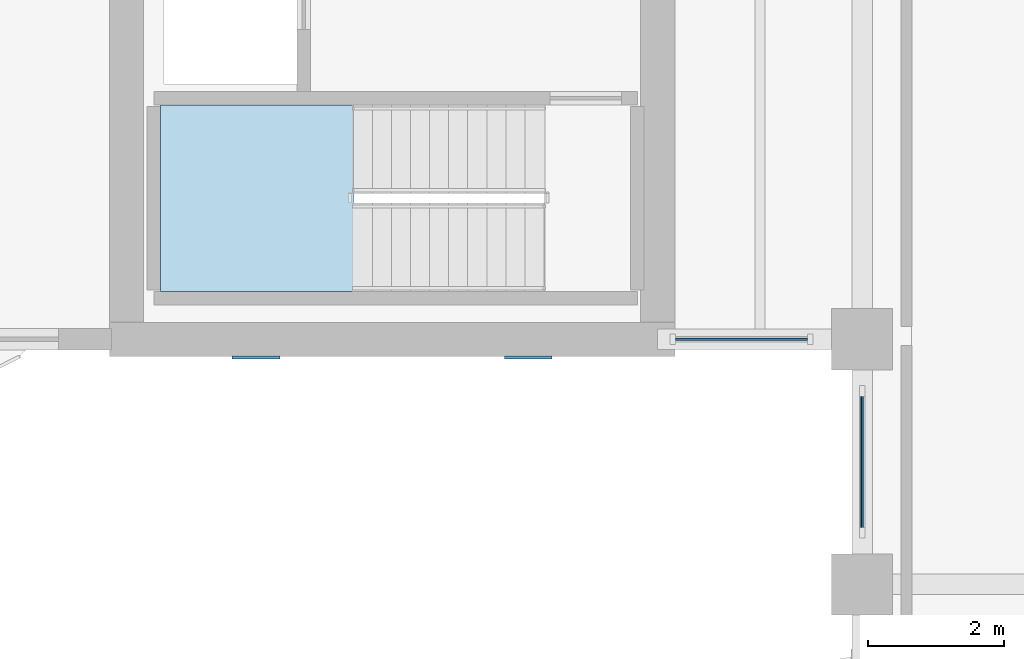
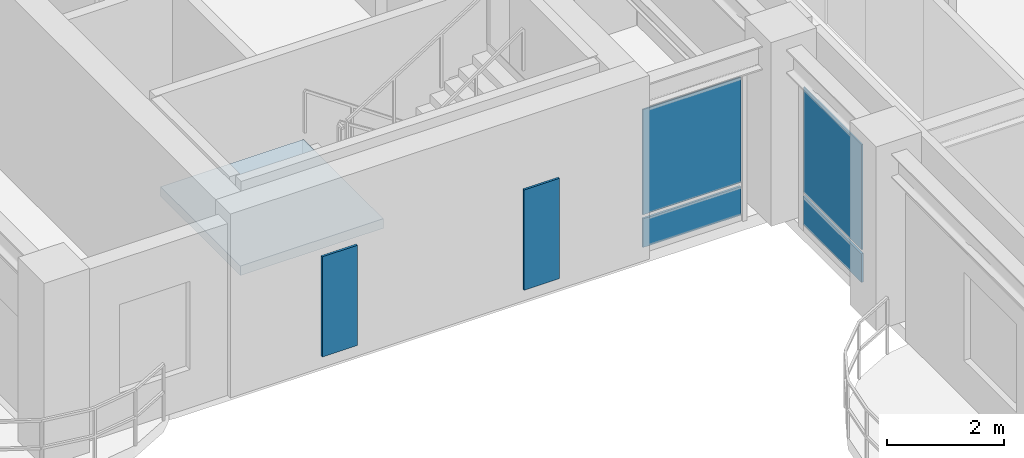
# One storey, part 6 of 19: 6 plates, 1 slab, 3 elements without a shape of their own.
"""IFC4 building model written with IfcOpenShell, lengths in metres."""

from ifc_helpers import new_model, si_unit, derived_unit, direction, frame, origin, origin_2d, place, context, subcontext, project, spatial, polyline, rectangle, outline, extrude, source, transform, mapped, material, layer, layer_set, type_object, type_shapes, element, aggregate, save


model = new_model("IFC4")

# Units and contexts
model_context = context("Model", 3, precision=1e-05, world=origin(), true_north=direction((0.0, 1.0)))
body_context = subcontext(model_context, "Body", "Model", "MODEL_VIEW")
ifc_project = project(units=[si_unit("LENGTHUNIT", "METRE"), si_unit("AREAUNIT", "SQUARE_METRE"), si_unit("VOLUMEUNIT", "CUBIC_METRE"), si_unit("PLANEANGLEUNIT", "RADIAN"), si_unit("MASSUNIT", "GRAM", prefix="KILO"), si_unit("THERMODYNAMICTEMPERATUREUNIT", "KELVIN"), si_unit("POWERUNIT", "WATT"), derived_unit("THERMALTRANSMITTANCEUNIT", [(si_unit("POWERUNIT", "WATT"), 1), (si_unit("AREAUNIT", "SQUARE_METRE"), -1), (si_unit("THERMODYNAMICTEMPERATUREUNIT", "KELVIN"), -1)])], contexts=[model_context])

# Site, building, storey
site_placement = place(None, origin())
site = spatial("IfcSite", under=ifc_project, at=site_placement, CompositionType="ELEMENT")
building_placement = place(site_placement, origin())
building = spatial("IfcBuilding", under=site, at=building_placement, Name="Zahravan Archway Hotel and Residences", CompositionType="ELEMENT")
storey_placement = place(building_placement, frame((0.0, 0.0, 201.89990234375)))
storey = spatial("IfcBuildingStorey", under=building, at=storey_placement, Name="L50", CompositionType="ELEMENT", Elevation=201.89990234375)

# Stair, slab
ifc_material_1 = material(Name="Concrete C50/60", Category="concrete")
stair_type = type_object("IfcStairType", Name="STR-CORE-1300", PredefinedType="HALF_TURN_STAIR", material=ifc_material_1)
stair_placement = place(storey_placement, origin())
stair = element("IfcStair", 1, at=stair_placement, inside=storey, type_object=stair_type, Name="L50 Core B Exit Stair 1", PredefinedType="HALF_TURN_STAIR")
ifc_layer_1 = layer(ifc_material_1, 0.199951171875, Name="Concrete C50/60", Category="concrete")
ifc_layer_set_1 = layer_set([ifc_layer_1], Name="Concrete C50/60")
slab_type = type_object("IfcSlabType", Name="SLB-LND-200", PredefinedType="LANDING", material=ifc_layer_set_1)
slab_placement = place(storey_placement, frame((0.0, 0.0, 1.72509765625)))
slab = element("IfcSlab", 2, at=slab_placement, type_object=slab_type, Name="ST-B1 landing 1", PredefinedType="LANDING", context=body_context, shape_type="SweptSolid", body=[
    extrude(outline(polyline([(6.929931640625, 28.639892578125), (4.10009765625, 28.639892578125), (4.10009765625, 25.89990234375), (6.929931640625, 25.89990234375), (6.929931640625, 28.639892578125)])), origin(), (0.0, 0.0, 1.0), 0.199951171875),
])
aggregate(stair, [slab])

# Plates
ifc_material_2 = material(Name="Perforated Cast Bronze Jali Lattice")
ifc_layer_2 = layer(ifc_material_2, 0.044921875, Name="Perforated Cast Bronze Jali Lattice")
ifc_layer_set_2 = layer_set([ifc_layer_2], Name="Perforated Cast Bronze Jali Lattice")
plate_type_1 = type_object("IfcPlateType", Name="PLT-JALI-BAY", PredefinedType="USERDEFINED", material=ifc_layer_set_2)
shared_shape_1 = source(origin(), body_context, "Body", "SweptSolid", [
    extrude(rectangle(XDim=0.699951171875, YDim=0.044921875, at=origin_2d()), origin(), (0.0, 0.0, 1.0), 2.10009765625),
])
type_shapes(plate_type_1, [shared_shape_1])
for number, where, z_axis, x_axis, name in (
    (3, (5.5, 24.931884765625, 0.25), (0.0, 0.0, 1.0), (1.0, 0.0, 0.0), "L50 Core B South Mughal Jali Screen 1"),
    (4, (9.5, 24.931884765625, 0.25), (0.0, 0.0, 1.0), (1.0, 0.0, 0.0), "L50 Core B South Mughal Jali Screen 2"),
):
    element("IfcPlate", number, at=place(storey_placement, frame(where, z_axis=z_axis, x_axis=x_axis)), inside=storey, type_object=plate_type_1, Name=name, ObjectType="SCREEN", PredefinedType="USERDEFINED", context=body_context, shape_type="MappedRepresentation", body=[
        mapped(shared_shape_1, transform((0.0, 0.0, 0.0), scale=1.0)),
    ])

# Curtain wall, plates
ifc_material_3 = material(Name="Bronze-Anodized Unitised Aluminium & Low-E Glass", Category="aluminium")
ifc_layer_3 = layer(ifc_material_3, 0.179931640625, Name="Bronze-Anodized Unitised Aluminium & Low-E Glass", Category="aluminium")
ifc_layer_set_3 = layer_set([ifc_layer_3], Name="Bronze-Anodized Unitised Aluminium & Low-E Glass")
curtain_wall_type = type_object("IfcCurtainWallType", Name="CW-SBG-2", PredefinedType="NOTDEFINED", material=ifc_layer_set_3)
curtain_wall_1_placement = place(storey_placement, origin())
curtain_wall_1 = element("IfcCurtainWall", 5, at=curtain_wall_1_placement, inside=storey, type_object=curtain_wall_type, Name="L50 Curtain Wall CW-L50-WA-WLU-1", PredefinedType="NOTDEFINED")
ifc_material_4 = material(Name="Insulated Terracotta Spandrel Panel", Category="masonry")
ifc_layer_4 = layer(ifc_material_4, 0.0400390625, Name="Insulated Terracotta Spandrel Panel", Category="masonry")
ifc_layer_set_4 = layer_set([ifc_layer_4], Name="Insulated Terracotta Spandrel Panel")
plate_type_2 = type_object("IfcPlateType", Name="CWP-SPN-40", PredefinedType="SHEET", material=ifc_layer_set_4)
shared_shape_2 = source(origin(), body_context, "Body", "SweptSolid", [
    extrude(rectangle(XDim=2.0, YDim=0.0400390625, at=origin_2d()), origin(), (0.0, 0.0, 1.0), 0.600341796875),
])
plate_1_placement = place(storey_placement, frame((14.39990234375, 23.39990234375, 0.10009765625), z_axis=(0.0, 0.0, 1.0), x_axis=(0.0, 1.0, 0.0)))
plate_1 = element("IfcPlate", 6, at=plate_1_placement, type_object=plate_type_2, Name="CW-L50-WA-WLU-1 Spandrel Panel 0", PredefinedType="SHEET", context=body_context, shape_type="MappedRepresentation", body=[
    mapped(shared_shape_2, transform((0.0, 0.0, 0.0), scale=1.0)),
])
ifc_material_5 = material(Name="Double-Silver Low-E Insulated Vision Glass", Category="glass")
ifc_layer_5 = layer(ifc_material_5, 0.028076171875, Name="Double-Silver Low-E Insulated Vision Glass", Category="glass")
ifc_layer_set_5 = layer_set([ifc_layer_5], Name="Double-Silver Low-E Insulated Vision Glass")
plate_type_3 = type_object("IfcPlateType", Name="CWP-GLZ-28", PredefinedType="CURTAIN_PANEL", material=ifc_layer_set_5)
shared_shape_3 = source(origin(), body_context, "Body", "SweptSolid", [
    extrude(rectangle(XDim=2.0, YDim=0.028076171875, at=origin_2d()), origin(), (0.0, 0.0, 1.0), 2.20458984375),
])
plate_2_placement = place(storey_placement, frame((14.39990234375, 23.39990234375, 0.780517578125), z_axis=(0.0, 0.0, 1.0), x_axis=(0.0, 1.0, 0.0)))
plate_2 = element("IfcPlate", 7, at=plate_2_placement, type_object=plate_type_3, Name="CW-L50-WA-WLU-1 Low-E Vision Panel 0", PredefinedType="CURTAIN_PANEL", context=body_context, shape_type="MappedRepresentation", body=[
    mapped(shared_shape_3, transform((0.0, 0.0, 0.0), scale=1.0)),
])
aggregate(curtain_wall_1, [plate_1, plate_2])

curtain_wall_2_placement = place(storey_placement, origin())
curtain_wall_2 = element("IfcCurtainWall", 8, at=curtain_wall_2_placement, inside=storey, type_object=curtain_wall_type, Name="L50 Curtain Wall CW-L50-WB-SE-1", PredefinedType="NOTDEFINED")
shared_shape_4 = source(origin(), body_context, "Body", "SweptSolid", [
    extrude(rectangle(XDim=1.93994140625, YDim=0.0400390625, at=origin_2d()), origin(), (0.0, 0.0, 1.0), 0.600341796875),
])
plate_3_placement = place(storey_placement, frame((12.6298828125, 25.199951171875, 0.10009765625), z_axis=(0.0, 0.0, 1.0), x_axis=(1.0, 0.0, 0.0)))
plate_3 = element("IfcPlate", 9, at=plate_3_placement, type_object=plate_type_2, Name="CW-L50-WB-SE-1 Spandrel Panel 0", PredefinedType="SHEET", context=body_context, shape_type="MappedRepresentation", body=[
    mapped(shared_shape_4, transform((0.0, 0.0, 0.0), scale=1.0)),
])
shared_shape_5 = source(origin(), body_context, "Body", "SweptSolid", [
    extrude(rectangle(XDim=1.93994140625, YDim=0.028076171875, at=origin_2d()), origin(), (0.0, 0.0, 1.0), 2.20458984375),
])
plate_4_placement = place(storey_placement, frame((12.6298828125, 25.199951171875, 0.780517578125), z_axis=(0.0, 0.0, 1.0), x_axis=(1.0, 0.0, 0.0)))
plate_4 = element("IfcPlate", 10, at=plate_4_placement, type_object=plate_type_3, Name="CW-L50-WB-SE-1 Low-E Vision Panel 0", PredefinedType="CURTAIN_PANEL", context=body_context, shape_type="MappedRepresentation", body=[
    mapped(shared_shape_5, transform((0.0, 0.0, 0.0), scale=1.0)),
])
aggregate(curtain_wall_2, [plate_3, plate_4])

save(model, "model.ifc")
